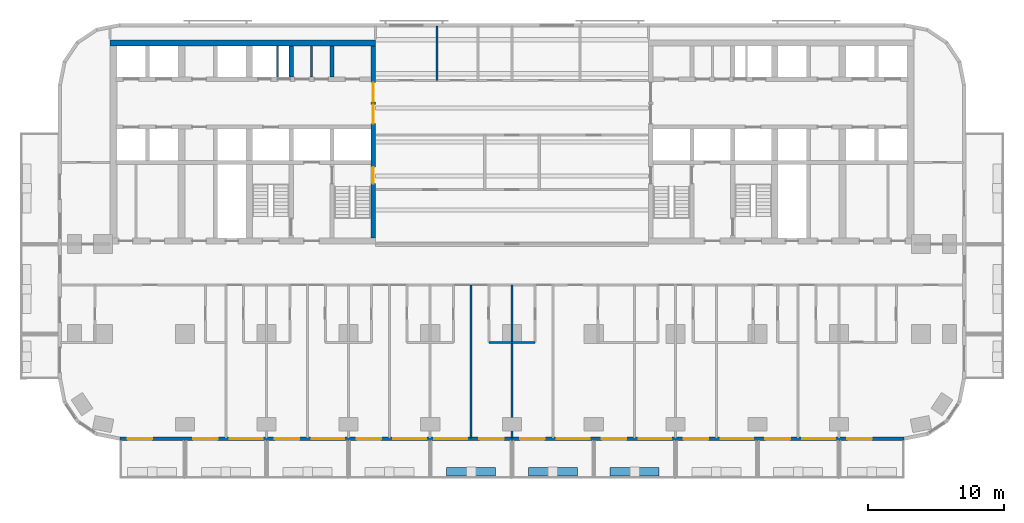
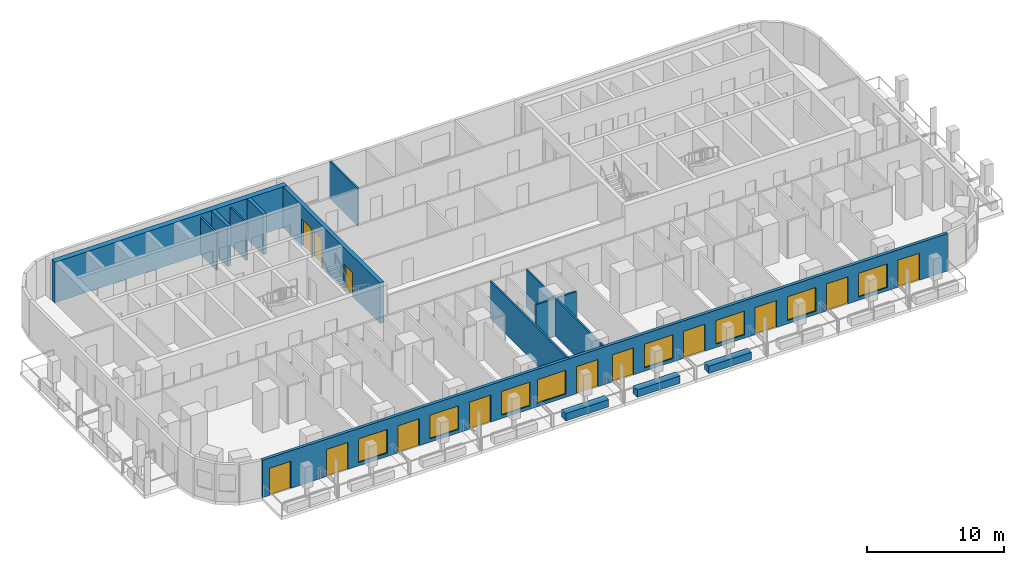
# One storey, part 4 of 14: 14 walls, 13 doors, 8 windows, 21 openings.
"""IFC4 building model written with IfcOpenShell, lengths in metres."""

from ifc_helpers import new_model, si_unit, direction, frame, frame_2d, origin, place, context, subcontext, project, spatial, rectangle, extrude, material, layer, layer_set, type_object, element, fill, save


model = new_model("IFC4")

# Units and contexts
model_context = context("Model", 3, precision=1e-05, world=origin(), true_north=direction((0.0, 1.0)))
body_context = subcontext(model_context, "Body", "Model", "MODEL_VIEW")
ifc_project = project(units=[si_unit("LENGTHUNIT", "METRE"), si_unit("AREAUNIT", "SQUARE_METRE"), si_unit("VOLUMEUNIT", "CUBIC_METRE"), si_unit("PLANEANGLEUNIT", "RADIAN"), si_unit("MASSUNIT", "GRAM", prefix="KILO")], contexts=[model_context])

# Site, building, storey
site_placement = place(None, origin())
site = spatial("IfcSite", under=ifc_project, at=site_placement, CompositionType="ELEMENT")
building_placement = place(site_placement, origin())
building = spatial("IfcBuilding", under=site, at=building_placement, Name="Torana Hotel and Residences", CompositionType="ELEMENT")
storey_placement = place(building_placement, frame((0.0, 0.0, 34.800048828125)))
storey = spatial("IfcBuildingStorey", under=building, at=storey_placement, Name="L07", CompositionType="ELEMENT", Elevation=34.800048828125)

# Walls
ifc_material_1 = material(Name="Concrete C80/95", Category="concrete")
ifc_layer_1 = layer(ifc_material_1, 0.300048828125)
ifc_layer_set_1 = layer_set([ifc_layer_1], Name="CORE WALL 300 C80/95")
wall_type_1 = type_object("IfcWallType", Name="CORE WALL 300 C80/95", PredefinedType="SHEAR", material=ifc_layer_set_1)
for number, where, z_axis, x_axis, name in (
    (1, (-13.199951171875, -2.75, 0.0), (0.0, 0.0, 1.0), (0.0, 1.0, 0.0), "Core wall W x3.05-N"),
    (2, (-16.199951171875, -2.75, 0.0), (0.0, 0.0, 1.0), (0.0, 1.0, 0.0), "Core wall W x6.05-N"),
):
    element("IfcWall", number, at=place(storey_placement, frame(where, z_axis=z_axis, x_axis=x_axis)), inside=storey, type_object=wall_type_1, Name=name, PredefinedType="SHEAR", context=body_context, shape_type="SweptSolid", body=[
        extrude(rectangle(XDim=2.300048828125, YDim=0.300048828125, at=frame_2d((1.14990234375, 0.0))), origin(), (0.0, 0.0, 1.0), 3.599853515625),
    ])

# Wall, openings, doors
ifc_material_2 = material(Name="Concrete C80/95", Category="concrete")
ifc_layer_2 = layer(ifc_material_2, 0.35009765625)
ifc_layer_set_2 = layer_set([ifc_layer_2], Name="CORE WALL 350 C80/95")
wall_type_2 = type_object("IfcWallType", Name="CORE WALL 350 C80/95", PredefinedType="SHEAR", material=ifc_layer_set_2)
wall_1_placement = place(storey_placement, frame((-10.175048828125, -14.550048828125, 0.0), z_axis=(0.0, 0.0, 1.0), x_axis=(0.0, 1.0, 0.0)))
wall_1 = element("IfcWall", 3, at=wall_1_placement, inside=storey, type_object=wall_type_2, Name="Core wall W arch", PredefinedType="SHEAR", context=body_context, shape_type="SweptSolid", body=[
    extrude(rectangle(XDim=14.10009765625, YDim=0.35009765625, at=frame_2d((7.050048828125, 0.0))), origin(), (0.0, 0.0, 1.0), 3.599853515625),
])
opening_1_placement = place(wall_1_placement, frame((8.39990234375, 0.0, 0.0)))
opening_1 = element("IfcOpeningElement", 4, at=opening_1_placement, cuts=wall_1, Name="Opening L07-01", PredefinedType="OPENING", context=body_context, shape_type="SweptSolid", body=[
    extrude(rectangle(XDim=1.39990234375, YDim=2.39990234375, at=frame_2d((0.699951171875, 1.199951171875))), frame((0.0, 0.18505859375, 0.0), z_axis=(0.0, -1.0, 0.0), x_axis=(1.0, 0.0, 0.0)), (0.0, 0.0, 1.0), 0.3701171875),
])
opening_2_placement = place(wall_1_placement, frame((10.0, 0.0, 0.0)))
opening_2 = element("IfcOpeningElement", 5, at=opening_2_placement, cuts=wall_1, Name="Opening L07-02", PredefinedType="OPENING", context=body_context, shape_type="SweptSolid", body=[
    extrude(rectangle(XDim=1.39990234375, YDim=2.39990234375, at=frame_2d((0.699951171875, 1.199951171875))), frame((0.0, 0.18505859375, 0.0), z_axis=(0.0, -1.0, 0.0), x_axis=(1.0, 0.0, 0.0)), (0.0, 0.0, 1.0), 0.3701171875),
])
opening_3_placement = place(wall_1_placement, frame((4.0, 0.0, 0.0)))
opening_3 = element("IfcOpeningElement", 6, at=opening_3_placement, cuts=wall_1, Name="Opening L07-03", PredefinedType="OPENING", context=body_context, shape_type="SweptSolid", body=[
    extrude(rectangle(XDim=1.199951171875, YDim=2.10009765625, at=frame_2d((0.60009765625, 1.050048828125))), frame((0.0, 0.18505859375, 0.0), z_axis=(0.0, -1.0, 0.0), x_axis=(1.0, 0.0, 0.0)), (0.0, 0.0, 1.0), 0.3701171875),
])
ifc_material_3 = material(Name="Steel S235", Category="steel")
door_type_1 = type_object("IfcDoorType", Name="LOBBY FIRE DOOR D4 1400x2400", OperationType="DOUBLE_DOOR_SINGLE_SWING", PredefinedType="DOOR", material=ifc_material_3)
door_1_placement = place(opening_1_placement, origin())
door_1 = element("IfcDoor", 7, at=door_1_placement, inside=storey, type_object=door_type_1, Name="Lobby-1 door L07", OperationType="DOUBLE_DOOR_SINGLE_SWING", OverallHeight=2.39990234375, OverallWidth=1.39990234375, PredefinedType="DOOR", context=body_context, shape_type="SweptSolid", body=[
    extrude(rectangle(XDim=1.39990234375, YDim=2.39990234375, at=frame_2d((0.699951171875, 1.199951171875))), frame((0.0, 0.02490234375, 0.0), z_axis=(0.0, -1.0, 0.0), x_axis=(1.0, 0.0, 0.0)), (0.0, 0.0, 1.0), 0.050048828125),
])
fill(opening_1, door_1)
door_2_placement = place(opening_2_placement, origin())
door_2 = element("IfcDoor", 8, at=door_2_placement, inside=storey, type_object=door_type_1, Name="Lobby-2 door L07", OperationType="DOUBLE_DOOR_SINGLE_SWING", OverallHeight=2.39990234375, OverallWidth=1.39990234375, PredefinedType="DOOR", context=body_context, shape_type="SweptSolid", body=[
    extrude(rectangle(XDim=1.39990234375, YDim=2.39990234375, at=frame_2d((0.699951171875, 1.199951171875))), frame((0.0, 0.02490234375, 0.0), z_axis=(0.0, -1.0, 0.0), x_axis=(1.0, 0.0, 0.0)), (0.0, 0.0, 1.0), 0.050048828125),
])
fill(opening_2, door_2)
ifc_material_4 = material(Name="Steel S235", Category="steel")
door_type_2 = type_object("IfcDoorType", Name="STAIR FIRE DOOR D3 1200x2100", OperationType="SINGLE_SWING_LEFT", PredefinedType="DOOR", material=ifc_material_4)
door_3_placement = place(opening_3_placement, origin())
door_3 = element("IfcDoor", 9, at=door_3_placement, inside=storey, type_object=door_type_2, Name="Stair-A door L07", OperationType="SINGLE_SWING_LEFT", OverallHeight=2.10009765625, OverallWidth=1.199951171875, PredefinedType="DOOR", context=body_context, shape_type="SweptSolid", body=[
    extrude(rectangle(XDim=1.199951171875, YDim=2.10009765625, at=frame_2d((0.60009765625, 1.050048828125))), frame((0.0, 0.02490234375, 0.0), z_axis=(0.0, -1.0, 0.0), x_axis=(1.0, 0.0, 0.0)), (0.0, 0.0, 1.0), 0.050048828125),
])
fill(opening_3, door_3)

# Wall
ifc_material_5 = material(Name="Concrete C80/95", Category="concrete")
ifc_layer_3 = layer(ifc_material_5, 0.449951171875)
ifc_layer_set_3 = layer_set([ifc_layer_3], Name="CORE WALL 450 C80/95")
wall_type_3 = type_object("IfcWallType", Name="CORE WALL 450 C80/95", PredefinedType="SHEAR", material=ifc_layer_set_3)
wall_2_placement = place(storey_placement, frame((-29.5, -0.22509765625, 0.0), z_axis=(0.0, 0.0, 1.0), x_axis=(1.0, 0.0, 0.0)))
element("IfcWall", 10, at=wall_2_placement, inside=storey, type_object=wall_type_3, Name="Core wall W rear", PredefinedType="SHEAR", context=body_context, shape_type="SweptSolid", body=[
    extrude(rectangle(XDim=19.5, YDim=0.449951171875, at=frame_2d((9.75, 0.0))), origin(), (0.0, 0.0, 1.0), 3.599853515625),
])

# Wall, openings, doors, windows
ifc_material_6 = material(Name="Black aluminium composite panel", Category="aluminium")
ifc_layer_4 = layer(ifc_material_6, 0.00390625, Name="Cladding", Category="cladding")
ifc_material_7 = material(Name="Ventilated air cavity")
ifc_layer_5 = layer(ifc_material_7, 0.0400390625, Name="Ventilated cavity", Category="cavity")
ifc_material_8 = material(Name="Mineral wool insulation")
ifc_layer_6 = layer(ifc_material_8, 0.090087890625, Name="Insulation", Category="insulation")
ifc_material_9 = material(Name="Steel S280GD", Category="steel")
ifc_layer_7 = layer(ifc_material_9, 0.092041015625, Name="Steel stud frame", Category="structure")
ifc_material_10 = material(Name="Fire rated plasterboard")
ifc_layer_8 = layer(ifc_material_10, 0.011962890625, Name="Inner board", Category="finish")
ifc_layer_9 = layer(ifc_material_10, 0.011962890625, Name="Second board", Category="finish")
ifc_layer_set_4 = layer_set([ifc_layer_4, ifc_layer_5, ifc_layer_6, ifc_layer_7, ifc_layer_8, ifc_layer_9], Name="EW1 EXTERNAL WALL BLACK METAL CLAD 250")
wall_type_4 = type_object("IfcWallType", Name="EW1 EXTERNAL WALL BLACK METAL CLAD 250", PredefinedType="SOLIDWALL", material=ifc_layer_set_4)
wall_3_placement = place(storey_placement, frame((-28.775390625, -29.27490234375, 0.0), z_axis=(0.0, 0.0, 1.0), x_axis=(1.0, 0.0, 0.0)))
wall_3 = element("IfcWall", 11, at=wall_3_placement, inside=storey, type_object=wall_type_4, Name="External wall L07 e0.14", PredefinedType="SOLIDWALL", context=body_context, shape_type="SweptSolid", body=[
    extrude(rectangle(XDim=57.55078125, YDim=0.25, at=frame_2d((28.775390625, 0.0))), origin(), (0.0, 0.0, 1.0), 3.320068359375),
])
opening_4_placement = place(wall_3_placement, frame((0.575439453125, 0.0, 0.0)))
opening_4 = element("IfcOpeningElement", 12, at=opening_4_placement, cuts=wall_3, Name="Opening L07-E01", PredefinedType="OPENING", context=body_context, shape_type="SweptSolid", body=[
    extrude(rectangle(XDim=1.800048828125, YDim=2.39990234375, at=frame_2d((0.89990234375, 1.199951171875))), frame((0.0, 0.135009765625, 0.0), z_axis=(0.0, -1.0, 0.0), x_axis=(1.0, 0.0, 0.0)), (0.0, 0.0, 1.0), 0.27001953125),
])
opening_5_placement = place(wall_3_placement, frame((5.37548828125, 0.0, 0.0)))
opening_5 = element("IfcOpeningElement", 13, at=opening_5_placement, cuts=wall_3, Name="Opening L07-E02", PredefinedType="OPENING", context=body_context, shape_type="SweptSolid", body=[
    extrude(rectangle(XDim=1.800048828125, YDim=2.39990234375, at=frame_2d((0.89990234375, 1.199951171875))), frame((0.0, 0.135009765625, 0.0), z_axis=(0.0, -1.0, 0.0), x_axis=(1.0, 0.0, 0.0)), (0.0, 0.0, 1.0), 0.27001953125),
])
opening_6_placement = place(wall_3_placement, frame((8.075439453125, 0.0, 0.300048828125)))
opening_6 = element("IfcOpeningElement", 14, at=opening_6_placement, cuts=wall_3, Name="Opening W1", PredefinedType="OPENING", context=body_context, shape_type="SweptSolid", body=[
    extrude(rectangle(XDim=2.39990234375, YDim=2.10009765625, at=frame_2d((1.199951171875, 1.050048828125))), frame((0.0, 0.135009765625, 0.0), z_axis=(0.0, -1.0, 0.0), x_axis=(1.0, 0.0, 0.0)), (0.0, 0.0, 1.0), 0.27001953125),
])
opening_7_placement = place(wall_3_placement, frame((11.37548828125, 0.0, 0.0)))
opening_7 = element("IfcOpeningElement", 15, at=opening_7_placement, cuts=wall_3, Name="Opening L07-E03", PredefinedType="OPENING", context=body_context, shape_type="SweptSolid", body=[
    extrude(rectangle(XDim=1.800048828125, YDim=2.39990234375, at=frame_2d((0.89990234375, 1.199951171875))), frame((0.0, 0.135009765625, 0.0), z_axis=(0.0, -1.0, 0.0), x_axis=(1.0, 0.0, 0.0)), (0.0, 0.0, 1.0), 0.27001953125),
])
opening_8_placement = place(wall_3_placement, frame((14.075439453125, 0.0, 0.300048828125)))
opening_8 = element("IfcOpeningElement", 16, at=opening_8_placement, cuts=wall_3, Name="Opening W1", PredefinedType="OPENING", context=body_context, shape_type="SweptSolid", body=[
    extrude(rectangle(XDim=2.39990234375, YDim=2.10009765625, at=frame_2d((1.199951171875, 1.050048828125))), frame((0.0, 0.135009765625, 0.0), z_axis=(0.0, -1.0, 0.0), x_axis=(1.0, 0.0, 0.0)), (0.0, 0.0, 1.0), 0.27001953125),
])
opening_9_placement = place(wall_3_placement, frame((17.37548828125, 0.0, 0.0)))
opening_9 = element("IfcOpeningElement", 17, at=opening_9_placement, cuts=wall_3, Name="Opening L07-E04", PredefinedType="OPENING", context=body_context, shape_type="SweptSolid", body=[
    extrude(rectangle(XDim=1.800048828125, YDim=2.39990234375, at=frame_2d((0.89990234375, 1.199951171875))), frame((0.0, 0.135009765625, 0.0), z_axis=(0.0, -1.0, 0.0), x_axis=(1.0, 0.0, 0.0)), (0.0, 0.0, 1.0), 0.27001953125),
])
opening_10_placement = place(wall_3_placement, frame((20.075439453125, 0.0, 0.300048828125)))
opening_10 = element("IfcOpeningElement", 18, at=opening_10_placement, cuts=wall_3, Name="Opening W1", PredefinedType="OPENING", context=body_context, shape_type="SweptSolid", body=[
    extrude(rectangle(XDim=2.39990234375, YDim=2.10009765625, at=frame_2d((1.199951171875, 1.050048828125))), frame((0.0, 0.135009765625, 0.0), z_axis=(0.0, -1.0, 0.0), x_axis=(1.0, 0.0, 0.0)), (0.0, 0.0, 1.0), 0.27001953125),
])
opening_11_placement = place(wall_3_placement, frame((23.075439453125, 0.0, 0.300048828125)))
opening_11 = element("IfcOpeningElement", 19, at=opening_11_placement, cuts=wall_3, Name="Opening W1", PredefinedType="OPENING", context=body_context, shape_type="SweptSolid", body=[
    extrude(rectangle(XDim=2.39990234375, YDim=2.10009765625, at=frame_2d((1.199951171875, 1.050048828125))), frame((0.0, 0.135009765625, 0.0), z_axis=(0.0, -1.0, 0.0), x_axis=(1.0, 0.0, 0.0)), (0.0, 0.0, 1.0), 0.27001953125),
])
opening_12_placement = place(wall_3_placement, frame((26.37548828125, 0.0, 0.0)))
opening_12 = element("IfcOpeningElement", 20, at=opening_12_placement, cuts=wall_3, Name="Opening L07-E05", PredefinedType="OPENING", context=body_context, shape_type="SweptSolid", body=[
    extrude(rectangle(XDim=1.800048828125, YDim=2.39990234375, at=frame_2d((0.89990234375, 1.199951171875))), frame((0.0, 0.135009765625, 0.0), z_axis=(0.0, -1.0, 0.0), x_axis=(1.0, 0.0, 0.0)), (0.0, 0.0, 1.0), 0.27001953125),
])
opening_13_placement = place(wall_3_placement, frame((29.37548828125, 0.0, 0.0)))
opening_13 = element("IfcOpeningElement", 21, at=opening_13_placement, cuts=wall_3, Name="Opening L07-E06", PredefinedType="OPENING", context=body_context, shape_type="SweptSolid", body=[
    extrude(rectangle(XDim=1.800048828125, YDim=2.39990234375, at=frame_2d((0.89990234375, 1.199951171875))), frame((0.0, 0.135009765625, 0.0), z_axis=(0.0, -1.0, 0.0), x_axis=(1.0, 0.0, 0.0)), (0.0, 0.0, 1.0), 0.27001953125),
])
opening_14_placement = place(wall_3_placement, frame((32.075439453125, 0.0, 0.300048828125)))
opening_14 = element("IfcOpeningElement", 22, at=opening_14_placement, cuts=wall_3, Name="Opening W1", PredefinedType="OPENING", context=body_context, shape_type="SweptSolid", body=[
    extrude(rectangle(XDim=2.39990234375, YDim=2.10009765625, at=frame_2d((1.199951171875, 1.050048828125))), frame((0.0, 0.135009765625, 0.0), z_axis=(0.0, -1.0, 0.0), x_axis=(1.0, 0.0, 0.0)), (0.0, 0.0, 1.0), 0.27001953125),
])
opening_15_placement = place(wall_3_placement, frame((35.37548828125, 0.0, 0.0)))
opening_15 = element("IfcOpeningElement", 23, at=opening_15_placement, cuts=wall_3, Name="Opening L07-E07", PredefinedType="OPENING", context=body_context, shape_type="SweptSolid", body=[
    extrude(rectangle(XDim=1.800048828125, YDim=2.39990234375, at=frame_2d((0.89990234375, 1.199951171875))), frame((0.0, 0.135009765625, 0.0), z_axis=(0.0, -1.0, 0.0), x_axis=(1.0, 0.0, 0.0)), (0.0, 0.0, 1.0), 0.27001953125),
])
opening_16_placement = place(wall_3_placement, frame((38.075439453125, 0.0, 0.300048828125)))
opening_16 = element("IfcOpeningElement", 24, at=opening_16_placement, cuts=wall_3, Name="Opening W1", PredefinedType="OPENING", context=body_context, shape_type="SweptSolid", body=[
    extrude(rectangle(XDim=2.39990234375, YDim=2.10009765625, at=frame_2d((1.199951171875, 1.050048828125))), frame((0.0, 0.135009765625, 0.0), z_axis=(0.0, -1.0, 0.0), x_axis=(1.0, 0.0, 0.0)), (0.0, 0.0, 1.0), 0.27001953125),
])
opening_17_placement = place(wall_3_placement, frame((41.37548828125, 0.0, 0.0)))
opening_17 = element("IfcOpeningElement", 25, at=opening_17_placement, cuts=wall_3, Name="Opening L07-E08", PredefinedType="OPENING", context=body_context, shape_type="SweptSolid", body=[
    extrude(rectangle(XDim=1.800048828125, YDim=2.39990234375, at=frame_2d((0.89990234375, 1.199951171875))), frame((0.0, 0.135009765625, 0.0), z_axis=(0.0, -1.0, 0.0), x_axis=(1.0, 0.0, 0.0)), (0.0, 0.0, 1.0), 0.27001953125),
])
opening_18_placement = place(wall_3_placement, frame((44.075439453125, 0.0, 0.300048828125)))
opening_18 = element("IfcOpeningElement", 26, at=opening_18_placement, cuts=wall_3, Name="Opening W1", PredefinedType="OPENING", context=body_context, shape_type="SweptSolid", body=[
    extrude(rectangle(XDim=2.39990234375, YDim=2.10009765625, at=frame_2d((1.199951171875, 1.050048828125))), frame((0.0, 0.135009765625, 0.0), z_axis=(0.0, -1.0, 0.0), x_axis=(1.0, 0.0, 0.0)), (0.0, 0.0, 1.0), 0.27001953125),
])
opening_19_placement = place(wall_3_placement, frame((47.37548828125, 0.0, 0.0)))
opening_19 = element("IfcOpeningElement", 27, at=opening_19_placement, cuts=wall_3, Name="Opening L07-E09", PredefinedType="OPENING", context=body_context, shape_type="SweptSolid", body=[
    extrude(rectangle(XDim=1.800048828125, YDim=2.39990234375, at=frame_2d((0.89990234375, 1.199951171875))), frame((0.0, 0.135009765625, 0.0), z_axis=(0.0, -1.0, 0.0), x_axis=(1.0, 0.0, 0.0)), (0.0, 0.0, 1.0), 0.27001953125),
])
opening_20_placement = place(wall_3_placement, frame((50.075439453125, 0.0, 0.300048828125)))
opening_20 = element("IfcOpeningElement", 28, at=opening_20_placement, cuts=wall_3, Name="Opening W1", PredefinedType="OPENING", context=body_context, shape_type="SweptSolid", body=[
    extrude(rectangle(XDim=2.39990234375, YDim=2.10009765625, at=frame_2d((1.199951171875, 1.050048828125))), frame((0.0, 0.135009765625, 0.0), z_axis=(0.0, -1.0, 0.0), x_axis=(1.0, 0.0, 0.0)), (0.0, 0.0, 1.0), 0.27001953125),
])
opening_21_placement = place(wall_3_placement, frame((53.37548828125, 0.0, 0.0)))
opening_21 = element("IfcOpeningElement", 29, at=opening_21_placement, cuts=wall_3, Name="Opening L07-E10", PredefinedType="OPENING", context=body_context, shape_type="SweptSolid", body=[
    extrude(rectangle(XDim=1.800048828125, YDim=2.39990234375, at=frame_2d((0.89990234375, 1.199951171875))), frame((0.0, 0.135009765625, 0.0), z_axis=(0.0, -1.0, 0.0), x_axis=(1.0, 0.0, 0.0)), (0.0, 0.0, 1.0), 0.27001953125),
])
ifc_material_11 = material(Name="Dark glass in black aluminium frame", Category="aluminium")
door_type_3 = type_object("IfcDoorType", Name="DB1 BALCONY DOOR 1800x2400", OperationType="DOUBLE_DOOR_SINGLE_SWING", PredefinedType="DOOR", material=ifc_material_11)
door_4_placement = place(opening_4_placement, origin())
door_4 = element("IfcDoor", 30, at=door_4_placement, inside=storey, type_object=door_type_3, Name="Balcony door L07", OperationType="DOUBLE_DOOR_SINGLE_SWING", OverallHeight=2.39990234375, OverallWidth=1.800048828125, PredefinedType="DOOR", context=body_context, shape_type="SweptSolid", body=[
    extrude(rectangle(XDim=1.800048828125, YDim=2.39990234375, at=frame_2d((0.89990234375, 1.199951171875))), frame((0.0, 0.02490234375, 0.0), z_axis=(0.0, -1.0, 0.0), x_axis=(1.0, 0.0, 0.0)), (0.0, 0.0, 1.0), 0.050048828125),
])
fill(opening_4, door_4)
door_5_placement = place(opening_5_placement, frame((0.89990234375, 0.0, 0.0), z_axis=(0.0, 0.0, 1.0), x_axis=(-1.0, 0.0, 0.0)))
door_5 = element("IfcDoor", 31, at=door_5_placement, inside=storey, type_object=door_type_3, Name="Balcony door L07", OperationType="DOUBLE_DOOR_SINGLE_SWING", OverallHeight=2.39990234375, OverallWidth=1.800048828125, PredefinedType="DOOR", context=body_context, shape_type="SweptSolid", body=[
    extrude(rectangle(XDim=1.800048828125, YDim=2.39990234375, at=frame_2d((0.0, 1.199951171875))), frame((0.0, -0.02490234375, 0.0), z_axis=(0.0, 1.0, 0.0), x_axis=(-1.0, 0.0, 0.0)), (0.0, 0.0, 1.0), 0.050048828125),
])
fill(opening_5, door_5)
door_6_placement = place(opening_7_placement, frame((0.89990234375, 0.0, 0.0), z_axis=(0.0, 0.0, 1.0), x_axis=(-1.0, 0.0, 0.0)))
door_6 = element("IfcDoor", 32, at=door_6_placement, inside=storey, type_object=door_type_3, Name="Balcony door L07", OperationType="DOUBLE_DOOR_SINGLE_SWING", OverallHeight=2.39990234375, OverallWidth=1.800048828125, PredefinedType="DOOR", context=body_context, shape_type="SweptSolid", body=[
    extrude(rectangle(XDim=1.800048828125, YDim=2.39990234375, at=frame_2d((0.0, 1.199951171875))), frame((0.0, -0.02490234375, 0.0), z_axis=(0.0, 1.0, 0.0), x_axis=(-1.0, 0.0, 0.0)), (0.0, 0.0, 1.0), 0.050048828125),
])
fill(opening_7, door_6)
door_7_placement = place(opening_9_placement, frame((0.89990234375, 0.0, 0.0), z_axis=(0.0, 0.0, 1.0), x_axis=(-1.0, 0.0, 0.0)))
door_7 = element("IfcDoor", 33, at=door_7_placement, inside=storey, type_object=door_type_3, Name="Balcony door L07", OperationType="DOUBLE_DOOR_SINGLE_SWING", OverallHeight=2.39990234375, OverallWidth=1.800048828125, PredefinedType="DOOR", context=body_context, shape_type="SweptSolid", body=[
    extrude(rectangle(XDim=1.800048828125, YDim=2.39990234375, at=frame_2d((0.0, 1.199951171875))), frame((0.0, -0.02490234375, 0.0), z_axis=(0.0, 1.0, 0.0), x_axis=(-1.0, 0.0, 0.0)), (0.0, 0.0, 1.0), 0.050048828125),
])
fill(opening_9, door_7)
door_8_placement = place(opening_12_placement, frame((0.89990234375, 0.0, 0.0), z_axis=(0.0, 0.0, 1.0), x_axis=(-1.0, 0.0, 0.0)))
door_8 = element("IfcDoor", 34, at=door_8_placement, inside=storey, type_object=door_type_3, Name="Balcony door L07", OperationType="DOUBLE_DOOR_SINGLE_SWING", OverallHeight=2.39990234375, OverallWidth=1.800048828125, PredefinedType="DOOR", context=body_context, shape_type="SweptSolid", body=[
    extrude(rectangle(XDim=1.800048828125, YDim=2.39990234375, at=frame_2d((0.0, 1.199951171875))), frame((0.0, -0.02490234375, 0.0), z_axis=(0.0, 1.0, 0.0), x_axis=(-1.0, 0.0, 0.0)), (0.0, 0.0, 1.0), 0.050048828125),
])
fill(opening_12, door_8)
door_9_placement = place(opening_13_placement, frame((0.89990234375, 0.0, 0.0), z_axis=(0.0, 0.0, 1.0), x_axis=(-1.0, 0.0, 0.0)))
door_9 = element("IfcDoor", 35, at=door_9_placement, inside=storey, type_object=door_type_3, Name="Balcony door L07", OperationType="DOUBLE_DOOR_SINGLE_SWING", OverallHeight=2.39990234375, OverallWidth=1.800048828125, PredefinedType="DOOR", context=body_context, shape_type="SweptSolid", body=[
    extrude(rectangle(XDim=1.800048828125, YDim=2.39990234375, at=frame_2d((0.0, 1.199951171875))), frame((0.0, -0.02490234375, 0.0), z_axis=(0.0, 1.0, 0.0), x_axis=(-1.0, 0.0, 0.0)), (0.0, 0.0, 1.0), 0.050048828125),
])
fill(opening_13, door_9)
door_10_placement = place(opening_15_placement, frame((0.89990234375, 0.0, 0.0), z_axis=(0.0, 0.0, 1.0), x_axis=(-1.0, 0.0, 0.0)))
door_10 = element("IfcDoor", 36, at=door_10_placement, inside=storey, type_object=door_type_3, Name="Balcony door L07", OperationType="DOUBLE_DOOR_SINGLE_SWING", OverallHeight=2.39990234375, OverallWidth=1.800048828125, PredefinedType="DOOR", context=body_context, shape_type="SweptSolid", body=[
    extrude(rectangle(XDim=1.800048828125, YDim=2.39990234375, at=frame_2d((0.0, 1.199951171875))), frame((0.0, -0.02490234375, 0.0), z_axis=(0.0, 1.0, 0.0), x_axis=(-1.0, 0.0, 0.0)), (0.0, 0.0, 1.0), 0.050048828125),
])
fill(opening_15, door_10)
door_11_placement = place(opening_17_placement, frame((0.89990234375, 0.0, 0.0), z_axis=(0.0, 0.0, 1.0), x_axis=(-1.0, 0.0, 0.0)))
door_11 = element("IfcDoor", 37, at=door_11_placement, inside=storey, type_object=door_type_3, Name="Balcony door L07", OperationType="DOUBLE_DOOR_SINGLE_SWING", OverallHeight=2.39990234375, OverallWidth=1.800048828125, PredefinedType="DOOR", context=body_context, shape_type="SweptSolid", body=[
    extrude(rectangle(XDim=1.800048828125, YDim=2.39990234375, at=frame_2d((0.0, 1.199951171875))), frame((0.0, -0.02490234375, 0.0), z_axis=(0.0, 1.0, 0.0), x_axis=(-1.0, 0.0, 0.0)), (0.0, 0.0, 1.0), 0.050048828125),
])
fill(opening_17, door_11)
door_12_placement = place(opening_19_placement, frame((0.89990234375, 0.0, 0.0), z_axis=(0.0, 0.0, 1.0), x_axis=(-1.0, 0.0, 0.0)))
door_12 = element("IfcDoor", 38, at=door_12_placement, inside=storey, type_object=door_type_3, Name="Balcony door L07", OperationType="DOUBLE_DOOR_SINGLE_SWING", OverallHeight=2.39990234375, OverallWidth=1.800048828125, PredefinedType="DOOR", context=body_context, shape_type="SweptSolid", body=[
    extrude(rectangle(XDim=1.800048828125, YDim=2.39990234375, at=frame_2d((0.0, 1.199951171875))), frame((0.0, -0.02490234375, 0.0), z_axis=(0.0, 1.0, 0.0), x_axis=(-1.0, 0.0, 0.0)), (0.0, 0.0, 1.0), 0.050048828125),
])
fill(opening_19, door_12)
door_13_placement = place(opening_21_placement, frame((0.89990234375, 0.0, 0.0), z_axis=(0.0, 0.0, 1.0), x_axis=(-1.0, 0.0, 0.0)))
door_13 = element("IfcDoor", 39, at=door_13_placement, inside=storey, type_object=door_type_3, Name="Balcony door L07", OperationType="DOUBLE_DOOR_SINGLE_SWING", OverallHeight=2.39990234375, OverallWidth=1.800048828125, PredefinedType="DOOR", context=body_context, shape_type="SweptSolid", body=[
    extrude(rectangle(XDim=1.800048828125, YDim=2.39990234375, at=frame_2d((0.0, 1.199951171875))), frame((0.0, -0.02490234375, 0.0), z_axis=(0.0, 1.0, 0.0), x_axis=(-1.0, 0.0, 0.0)), (0.0, 0.0, 1.0), 0.050048828125),
])
fill(opening_21, door_13)
ifc_material_12 = material(Name="Dark glass in black aluminium frame", Category="aluminium")
window_type = type_object("IfcWindowType", Name="W1 HOTEL ROOM WINDOW 2400x2100", PartitioningType="SINGLE_PANEL", PredefinedType="WINDOW", material=ifc_material_12)
window_1_placement = place(opening_6_placement, origin())
window_1 = element("IfcWindow", 40, at=window_1_placement, inside=storey, type_object=window_type, Name="Window L07", OverallHeight=2.10009765625, OverallWidth=2.39990234375, PartitioningType="SINGLE_PANEL", PredefinedType="WINDOW", context=body_context, shape_type="SweptSolid", body=[
    extrude(rectangle(XDim=2.39990234375, YDim=2.10009765625, at=frame_2d((1.199951171875, 1.050048828125))), frame((0.0, 0.030029296875, 0.0), z_axis=(0.0, -1.0, 0.0), x_axis=(1.0, 0.0, 0.0)), (0.0, 0.0, 1.0), 0.06005859375),
])
fill(opening_6, window_1)
window_2_placement = place(opening_8_placement, origin())
window_2 = element("IfcWindow", 41, at=window_2_placement, inside=storey, type_object=window_type, Name="Window L07", OverallHeight=2.10009765625, OverallWidth=2.39990234375, PartitioningType="SINGLE_PANEL", PredefinedType="WINDOW", context=body_context, shape_type="SweptSolid", body=[
    extrude(rectangle(XDim=2.39990234375, YDim=2.10009765625, at=frame_2d((1.199951171875, 1.050048828125))), frame((0.0, 0.030029296875, 0.0), z_axis=(0.0, -1.0, 0.0), x_axis=(1.0, 0.0, 0.0)), (0.0, 0.0, 1.0), 0.06005859375),
])
fill(opening_8, window_2)
window_3_placement = place(opening_10_placement, origin())
window_3 = element("IfcWindow", 42, at=window_3_placement, inside=storey, type_object=window_type, Name="Window L07", OverallHeight=2.10009765625, OverallWidth=2.39990234375, PartitioningType="SINGLE_PANEL", PredefinedType="WINDOW", context=body_context, shape_type="SweptSolid", body=[
    extrude(rectangle(XDim=2.39990234375, YDim=2.10009765625, at=frame_2d((1.199951171875, 1.050048828125))), frame((0.0, 0.030029296875, 0.0), z_axis=(0.0, -1.0, 0.0), x_axis=(1.0, 0.0, 0.0)), (0.0, 0.0, 1.0), 0.06005859375),
])
fill(opening_10, window_3)
window_4_placement = place(opening_11_placement, origin())
window_4 = element("IfcWindow", 43, at=window_4_placement, inside=storey, type_object=window_type, Name="Window L07", OverallHeight=2.10009765625, OverallWidth=2.39990234375, PartitioningType="SINGLE_PANEL", PredefinedType="WINDOW", context=body_context, shape_type="SweptSolid", body=[
    extrude(rectangle(XDim=2.39990234375, YDim=2.10009765625, at=frame_2d((1.199951171875, 1.050048828125))), frame((0.0, 0.030029296875, 0.0), z_axis=(0.0, -1.0, 0.0), x_axis=(1.0, 0.0, 0.0)), (0.0, 0.0, 1.0), 0.06005859375),
])
fill(opening_11, window_4)
window_5_placement = place(opening_14_placement, origin())
window_5 = element("IfcWindow", 44, at=window_5_placement, inside=storey, type_object=window_type, Name="Window L07", OverallHeight=2.10009765625, OverallWidth=2.39990234375, PartitioningType="SINGLE_PANEL", PredefinedType="WINDOW", context=body_context, shape_type="SweptSolid", body=[
    extrude(rectangle(XDim=2.39990234375, YDim=2.10009765625, at=frame_2d((1.199951171875, 1.050048828125))), frame((0.0, 0.030029296875, 0.0), z_axis=(0.0, -1.0, 0.0), x_axis=(1.0, 0.0, 0.0)), (0.0, 0.0, 1.0), 0.06005859375),
])
fill(opening_14, window_5)
window_6_placement = place(opening_16_placement, origin())
window_6 = element("IfcWindow", 45, at=window_6_placement, inside=storey, type_object=window_type, Name="Window L07", OverallHeight=2.10009765625, OverallWidth=2.39990234375, PartitioningType="SINGLE_PANEL", PredefinedType="WINDOW", context=body_context, shape_type="SweptSolid", body=[
    extrude(rectangle(XDim=2.39990234375, YDim=2.10009765625, at=frame_2d((1.199951171875, 1.050048828125))), frame((0.0, 0.030029296875, 0.0), z_axis=(0.0, -1.0, 0.0), x_axis=(1.0, 0.0, 0.0)), (0.0, 0.0, 1.0), 0.06005859375),
])
fill(opening_16, window_6)
window_7_placement = place(opening_18_placement, origin())
window_7 = element("IfcWindow", 46, at=window_7_placement, inside=storey, type_object=window_type, Name="Window L07", OverallHeight=2.10009765625, OverallWidth=2.39990234375, PartitioningType="SINGLE_PANEL", PredefinedType="WINDOW", context=body_context, shape_type="SweptSolid", body=[
    extrude(rectangle(XDim=2.39990234375, YDim=2.10009765625, at=frame_2d((1.199951171875, 1.050048828125))), frame((0.0, 0.030029296875, 0.0), z_axis=(0.0, -1.0, 0.0), x_axis=(1.0, 0.0, 0.0)), (0.0, 0.0, 1.0), 0.06005859375),
])
fill(opening_18, window_7)
window_8_placement = place(opening_20_placement, origin())
window_8 = element("IfcWindow", 47, at=window_8_placement, inside=storey, type_object=window_type, Name="Window L07", OverallHeight=2.10009765625, OverallWidth=2.39990234375, PartitioningType="SINGLE_PANEL", PredefinedType="WINDOW", context=body_context, shape_type="SweptSolid", body=[
    extrude(rectangle(XDim=2.39990234375, YDim=2.10009765625, at=frame_2d((1.199951171875, 1.050048828125))), frame((0.0, 0.030029296875, 0.0), z_axis=(0.0, -1.0, 0.0), x_axis=(1.0, 0.0, 0.0)), (0.0, 0.0, 1.0), 0.06005859375),
])
fill(opening_20, window_8)

# Walls
ifc_material_13 = material(Name="Gypsum plaster")
ifc_layer_10 = layer(ifc_material_13, 0.014892578125, Name="Plaster", Category="finish")
ifc_material_14 = material(Name="Concrete blockwork", Category="masonry")
ifc_layer_11 = layer(ifc_material_14, 0.1201171875, Name="Blockwork", Category="structure")
ifc_layer_12 = layer(ifc_material_13, 0.014892578125, Name="Plaster", Category="finish")
ifc_layer_set_5 = layer_set([ifc_layer_10, ifc_layer_11, ifc_layer_12], Name="FIRE PARTITION 150 BLOCKWORK")
wall_type_5 = type_object("IfcWallType", Name="FIRE PARTITION 150 BLOCKWORK", PredefinedType="PARTITIONING", material=ifc_layer_set_5)
for number, where, z_axis, x_axis, name in (
    (48, (-17.199951171875, -2.75, 0.0), (0.0, 0.0, 1.0), (0.0, 1.0, 0.0), "Core partition L07"),
    (49, (-14.699951171875, -2.75, 0.0), (0.0, 0.0, 1.0), (0.0, 1.0, 0.0), "Core partition L07"),
):
    element("IfcWall", number, at=place(storey_placement, frame(where, z_axis=z_axis, x_axis=x_axis)), inside=storey, type_object=wall_type_5, Name=name, PredefinedType="PARTITIONING", context=body_context, shape_type="SweptSolid", body=[
        extrude(rectangle(XDim=2.300048828125, YDim=0.14990234375, at=frame_2d((1.14990234375, 0.0))), origin(), (0.0, 0.0, 1.0), 3.300048828125),
    ])
ifc_material_15 = material(Name="Gypsum plasterboard")
ifc_layer_13 = layer(ifc_material_15, 0.012451171875, Name="Plasterboard", Category="finish")
ifc_layer_14 = layer(ifc_material_15, 0.012451171875, Name="Plasterboard", Category="finish")
ifc_layer_15 = layer(ifc_material_9, 0.10009765625, Name="Steel studs with mineral wool", Category="insulation")
ifc_layer_16 = layer(ifc_material_15, 0.012451171875, Name="Plasterboard", Category="finish")
ifc_layer_17 = layer(ifc_material_15, 0.012451171875, Name="Plasterboard", Category="finish")
ifc_layer_set_6 = layer_set([ifc_layer_13, ifc_layer_14, ifc_layer_15, ifc_layer_16, ifc_layer_17], Name="PARTITION 150 PLASTERBOARD")
wall_type_6 = type_object("IfcWallType", Name="PARTITION 150 PLASTERBOARD", PredefinedType="PARTITIONING", material=ifc_layer_set_6)
for number, where, z_axis, x_axis, name in (
    (50, (0.0, -29.219970703125, 0.0), (0.0, 0.0, 1.0), (0.0, 1.0, 0.0), "Partition L07"),
    (51, (-3.0, -29.219970703125, 0.0), (0.0, 0.0, 1.0), (0.0, 1.0, 0.0), "Partition L07"),
):
    element("IfcWall", number, at=place(storey_placement, frame(where, z_axis=z_axis, x_axis=x_axis)), inside=storey, type_object=wall_type_6, Name=name, PredefinedType="PARTITIONING", context=body_context, shape_type="SweptSolid", body=[
        extrude(rectangle(XDim=11.219970703125, YDim=0.14990234375, at=frame_2d((5.60986328125, 0.0))), origin(), (0.0, 0.0, 1.0), 3.320068359375),
    ])
wall_4_placement = place(storey_placement, frame((-1.699951171875, -22.199951171875, 0.0), z_axis=(0.0, 0.0, 1.0), x_axis=(1.0, 0.0, 0.0)))
element("IfcWall", 52, at=wall_4_placement, inside=storey, type_object=wall_type_6, Name="Partition L07", PredefinedType="PARTITIONING", context=body_context, shape_type="SweptSolid", body=[
    extrude(rectangle(XDim=3.39990234375, YDim=0.14990234375, at=frame_2d((1.699951171875, 0.0))), origin(), (0.0, 0.0, 1.0), 3.320068359375),
])
ifc_material_16 = material(Name="Concrete C40/50 precast", Category="concrete")
ifc_layer_18 = layer(ifc_material_16, 0.10009765625, Name="Planter shell", Category="structure")
ifc_material_17 = material(Name="Root resistant membrane")
ifc_layer_19 = layer(ifc_material_17, 0.00390625, Name="Waterproofing membrane", Category="membrane")
ifc_material_18 = material(Name="Drainage board with filter fleece")
ifc_layer_20 = layer(ifc_material_18, 0.02001953125, Name="Drainage board", Category="drainage")
ifc_material_19 = material(Name="Growing medium")
ifc_layer_21 = layer(ifc_material_19, 0.47607421875, Name="Planting substrate", Category="soil")
ifc_layer_set_7 = layer_set([ifc_layer_18, ifc_layer_19, ifc_layer_20, ifc_layer_21], Name="PL1 BALCONY PLANTER 600")
wall_type_7 = type_object("IfcWallType", Name="PL1 BALCONY PLANTER 600", PredefinedType="USERDEFINED", material=ifc_layer_set_7)
for number, where, z_axis, x_axis, name in (
    (53, (-1.199951171875, -31.699951171875, 0.0), (0.0, 0.0, 1.0), (-1.0, 0.0, 0.0), "Planter 05"),
    (54, (4.800048828125, -31.699951171875, 0.0), (0.0, 0.0, 1.0), (-1.0, 0.0, 0.0), "Planter 06"),
    (55, (10.800048828125, -31.699951171875, 0.0), (0.0, 0.0, 1.0), (-1.0, 0.0, 0.0), "Planter 07"),
):
    element("IfcWall", number, at=place(storey_placement, frame(where, z_axis=z_axis, x_axis=x_axis)), inside=storey, type_object=wall_type_7, Name=name, ObjectType="PLANTER", PredefinedType="USERDEFINED", context=body_context, shape_type="SweptSolid", body=[
        extrude(rectangle(XDim=3.60009765625, YDim=0.60009765625, at=frame_2d((1.800048828125, 0.0))), origin(), (0.0, 0.0, 1.0), 0.64990234375),
    ])
ifc_material_20 = material(Name="Ceramic tile on adhesive")
ifc_layer_22 = layer(ifc_material_20, 0.010009765625, Name="Wall tile", Category="finish")
ifc_material_21 = material(Name="Cement render")
ifc_layer_23 = layer(ifc_material_21, 0.010009765625, Name="Render", Category="finish")
ifc_layer_24 = layer(ifc_material_14, 0.110107421875, Name="Blockwork", Category="structure")
ifc_layer_25 = layer(ifc_material_21, 0.010009765625, Name="Render", Category="finish")
ifc_layer_26 = layer(ifc_material_20, 0.010009765625, Name="Wall tile", Category="finish")
ifc_layer_set_8 = layer_set([ifc_layer_22, ifc_layer_23, ifc_layer_24, ifc_layer_25, ifc_layer_26], Name="WC PARTITION 150")
wall_type_8 = type_object("IfcWallType", Name="WC PARTITION 150", PredefinedType="PLUMBINGWALL", material=ifc_layer_set_8)
wall_5_placement = place(storey_placement, frame((-5.5, -3.0, 0.0), z_axis=(0.0, 0.0, 1.0), x_axis=(0.0, 1.0, 0.0)))
element("IfcWall", 56, at=wall_5_placement, inside=storey, type_object=wall_type_8, Name="Partition L07", PredefinedType="PLUMBINGWALL", context=body_context, shape_type="SweptSolid", body=[
    extrude(rectangle(XDim=4.02001953125, YDim=0.14990234375, at=frame_2d((2.010009765625, 0.0))), origin(), (0.0, 0.0, 1.0), 3.320068359375),
])

save(model, "model.ifc")
